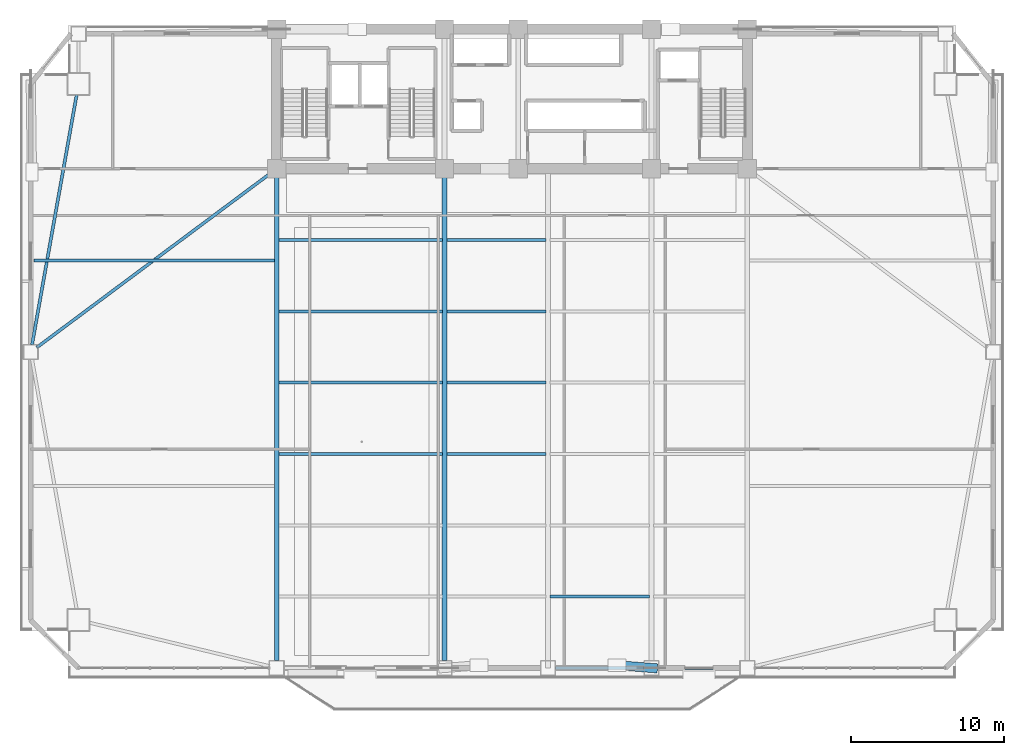
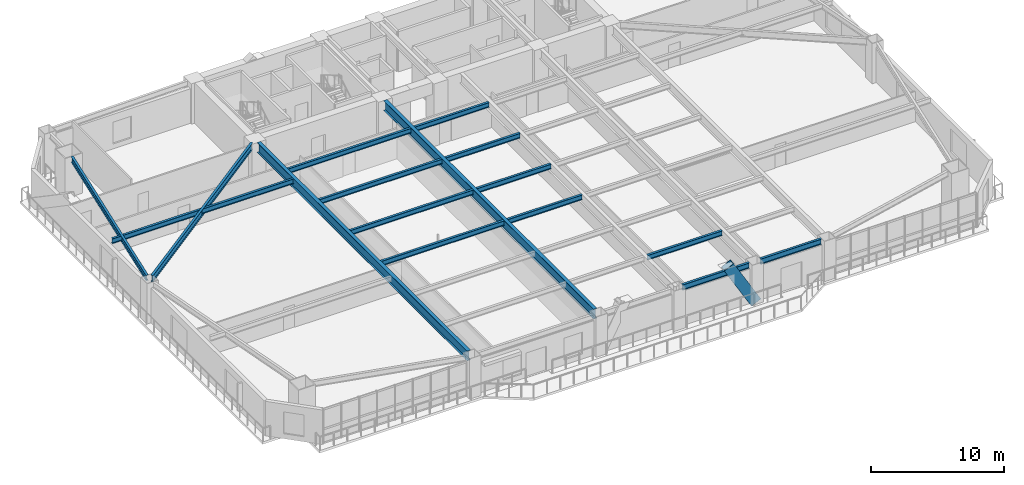
# One storey, part 5 of 18: 16 beams, 1 member.
"""IFC4 building model written with IfcOpenShell, lengths in metres."""

from ifc_helpers import new_model, si_unit, direction, frame, origin, origin_2d, place, context, subcontext, project, spatial, hollow_rectangle, i_section, extrude, source, transform, mapped, material, material_profile, profile_set, type_object, element, save


model = new_model("IFC4")

# Units and contexts
model_context = context("Model", 3, precision=1e-05, world=origin(), true_north=direction((0.0, 1.0)))
body_context = subcontext(model_context, "Body", "Model", "MODEL_VIEW")
ifc_project = project(units=[si_unit("LENGTHUNIT", "METRE"), si_unit("AREAUNIT", "SQUARE_METRE"), si_unit("VOLUMEUNIT", "CUBIC_METRE"), si_unit("PLANEANGLEUNIT", "RADIAN"), si_unit("MASSUNIT", "GRAM", prefix="KILO")], contexts=[model_context])

# Site, building, storey
site_placement = place(None, origin())
site = spatial("IfcSite", under=ifc_project, at=site_placement, CompositionType="ELEMENT")
building_placement = place(site_placement, origin())
building = spatial("IfcBuilding", under=site, at=building_placement, Name="Giltprow Tower", CompositionType="ELEMENT")
storey_placement = place(building_placement, frame((0.0, 0.0, 61.10009765625)))
storey = spatial("IfcBuildingStorey", under=building, at=storey_placement, Name="L15", CompositionType="ELEMENT", Elevation=61.10009765625)

# Beams
ifc_material_1 = material(Name="Structural steel Q355B", Category="steel")
ifc_material_profile_1 = material_profile(ifc_material_1, i_section(OverallWidth=0.199951171875, OverallDepth=0.449951171875, WebThickness=0.009033203125, FlangeThickness=0.013916015625, at=origin_2d()), Name="HN 450x200x9x14")
ifc_profile_set_1 = profile_set([ifc_material_profile_1], Name="Structural steel Q355B")
beam_type_1 = type_object("IfcBeamType", Name="BM-JOIST-HN450", PredefinedType="JOIST", material=ifc_profile_set_1)
shared_shape_1 = source(origin(), body_context, "Body", "SweptSolid", [
    extrude(i_section(OverallWidth=0.199951171875, OverallDepth=0.449951171875, WebThickness=0.009033203125, FlangeThickness=0.013916015625, at=origin_2d()), origin(), (0.0, 0.0, 1.0), 10.659912109375),
])
for number, where, z_axis, x_axis, name in (
    (1, (19.9951171875, 18.840087890625, 3.454833984375), (1.0, 0.0, 0.0), (0.0, 1.0, 0.0), "L15 Composite Floor Joist 3-1"),
    (2, (19.9951171875, 23.491943359375, 3.454833984375), (1.0, 0.0, 0.0), (0.0, 1.0, 0.0), "L15 Composite Floor Joist 4-1"),
    (3, (19.9951171875, 28.14501953125, 3.454833984375), (1.0, 0.0, 0.0), (0.0, 1.0, 0.0), "L15 Composite Floor Joist 5-1"),
    (4, (19.9951171875, 32.797119140625, 3.454833984375), (1.0, 0.0, 0.0), (0.0, 1.0, 0.0), "L15 Composite Floor Joist 6-1"),
):
    element("IfcBeam", number, at=place(storey_placement, frame(where, z_axis=z_axis, x_axis=x_axis)), inside=storey, type_object=beam_type_1, Name=name, PredefinedType="JOIST", context=body_context, shape_type="MappedRepresentation", body=[
        mapped(shared_shape_1, transform((0.0, 0.0, 0.0), x_axis=(1.0, 0.0, 0.0), y_axis=(0.0, 1.0, 0.0), z_axis=(0.0, 0.0, 1.0), scale=1.0)),
    ])
shared_shape_2 = source(origin(), body_context, "Body", "SweptSolid", [
    extrude(i_section(OverallWidth=0.199951171875, OverallDepth=0.449951171875, WebThickness=0.009033203125, FlangeThickness=0.013916015625, at=origin_2d()), origin(), (0.0, 0.0, 1.0), 6.4599609375),
])
for number, where, z_axis, x_axis, name in (
    (5, (37.695068359375, 9.534912109375, 3.454833984375), (1.0, 0.0, 0.0), (0.0, 1.0, 0.0), "L15 Composite Floor Joist 1-3"),
    (6, (30.945068359375, 18.840087890625, 3.454833984375), (1.0, 0.0, 0.0), (0.0, 1.0, 0.0), "L15 Composite Floor Joist 3-2"),
    (7, (30.945068359375, 23.491943359375, 3.454833984375), (1.0, 0.0, 0.0), (0.0, 1.0, 0.0), "L15 Composite Floor Joist 4-2"),
    (8, (30.945068359375, 28.14501953125, 3.454833984375), (1.0, 0.0, 0.0), (0.0, 1.0, 0.0), "L15 Composite Floor Joist 5-2"),
    (9, (30.945068359375, 32.797119140625, 3.454833984375), (1.0, 0.0, 0.0), (0.0, 1.0, 0.0), "L15 Composite Floor Joist 6-2"),
):
    element("IfcBeam", number, at=place(storey_placement, frame(where, z_axis=z_axis, x_axis=x_axis)), inside=storey, type_object=beam_type_1, Name=name, PredefinedType="JOIST", context=body_context, shape_type="MappedRepresentation", body=[
        mapped(shared_shape_2, transform((0.0, 0.0, 0.0), x_axis=(1.0, 0.0, 0.0), y_axis=(0.0, 1.0, 0.0), z_axis=(0.0, 0.0, 1.0), scale=1.0)),
    ])
shared_shape_3 = source(origin(), body_context, "Body", "SweptSolid", [
    extrude(i_section(OverallWidth=0.199951171875, OverallDepth=0.449951171875, WebThickness=0.009033203125, FlangeThickness=0.013916015625, at=origin_2d()), origin(), (0.0, 0.0, 1.0), 15.68017578125),
])
beam_1_placement = place(storey_placement, frame((4.02490234375, 31.470947265625, 3.454833984375), z_axis=(1.0, 0.0, 0.0), x_axis=(0.0, 1.0, 0.0)))
element("IfcBeam", 10, at=beam_1_placement, inside=storey, type_object=beam_type_1, Name="L15 West Wing Floor Joist 2", PredefinedType="JOIST", context=body_context, shape_type="MappedRepresentation", body=[
    mapped(shared_shape_3, transform((0.0, 0.0, 0.0), x_axis=(1.0, 0.0, 0.0), y_axis=(0.0, 1.0, 0.0), z_axis=(0.0, 0.0, 1.0), scale=1.0)),
])
ifc_material_profile_2 = material_profile(ifc_material_1, i_section(OverallWidth=0.199951171875, OverallDepth=0.5, WebThickness=0.010009765625, FlangeThickness=0.01611328125, at=origin_2d()), Name="HN 500x200x10x16")
ifc_profile_set_2 = profile_set([ifc_material_profile_2], Name="Structural steel Q355B")
beam_type_2 = type_object("IfcBeamType", Name="BM-SPAN-HN500", PredefinedType="SPANDREL", material=ifc_profile_set_2)
shared_shape_4 = source(origin(), body_context, "Body", "SweptSolid", [
    extrude(i_section(OverallWidth=0.199951171875, OverallDepth=0.5, WebThickness=0.010009765625, FlangeThickness=0.01611328125, at=origin_2d()), origin(), (0.0, 0.0, 1.0), 5.780029296875),
])
beam_2_placement = place(storey_placement, frame((38.034912109375, 4.882080078125, 3.429931640625), z_axis=(1.0, 0.0, 0.0), x_axis=(0.0, 1.0, 0.0)))
element("IfcBeam", 11, at=beam_2_placement, inside=storey, type_object=beam_type_2, Name="L15 Perimeter Spandrel Beam S_MID-S3", PredefinedType="SPANDREL", context=body_context, shape_type="MappedRepresentation", body=[
    mapped(shared_shape_4, transform((0.0, 0.0, 0.0), x_axis=(1.0, 0.0, 0.0), y_axis=(0.0, 1.0, 0.0), z_axis=(0.0, 0.0, 1.0), scale=1.0)),
])
shared_shape_5 = source(origin(), body_context, "Body", "SweptSolid", [
    extrude(i_section(OverallWidth=0.199951171875, OverallDepth=0.5, WebThickness=0.010009765625, FlangeThickness=0.01611328125, at=origin_2d()), origin(), (0.0, 0.0, 1.0), 5.280029296875),
])
beam_3_placement = place(storey_placement, frame((44.784912109375, 4.882080078125, 3.429931640625), z_axis=(1.0, 0.0, 0.0), x_axis=(0.0, 1.0, 0.0)))
element("IfcBeam", 12, at=beam_3_placement, inside=storey, type_object=beam_type_2, Name="L15 Perimeter Spandrel Beam S3-S4", PredefinedType="SPANDREL", context=body_context, shape_type="MappedRepresentation", body=[
    mapped(shared_shape_5, transform((0.0, 0.0, 0.0), x_axis=(1.0, 0.0, 0.0), y_axis=(0.0, 1.0, 0.0), z_axis=(0.0, 0.0, 1.0), scale=1.0)),
])
shared_shape_6 = source(origin(), body_context, "Body", "SweptSolid", [
    extrude(i_section(OverallWidth=0.199951171875, OverallDepth=0.5, WebThickness=0.010009765625, FlangeThickness=0.01611328125, at=origin_2d()), origin(), (0.0, 0.0, 1.0), 16.54345703125),
])
beam_4_placement = place(storey_placement, frame((6.798095703125, 42.25390625, 3.429931640625), z_axis=(-0.175791149249, -0.9844274843, 0.0), x_axis=(0.9844274843, -0.175791149249, 0.0)))
element("IfcBeam", 13, at=beam_4_placement, inside=storey, type_object=beam_type_2, Name="L15 Perimeter Spandrel Beam MC_NW-W_MID", PredefinedType="SPANDREL", context=body_context, shape_type="MappedRepresentation", body=[
    mapped(shared_shape_6, transform((0.0, 0.0, 0.0), x_axis=(1.0, 0.0, 0.0), y_axis=(0.0, 1.0, 0.0), z_axis=(0.0, 0.0, 1.0), scale=1.0)),
])
ifc_material_profile_3 = material_profile(ifc_material_1, i_section(OverallWidth=0.300048828125, OverallDepth=0.89990234375, WebThickness=0.01611328125, FlangeThickness=0.028076171875, at=origin_2d()), Name="HN 900x300x16x28")
ifc_profile_set_3 = profile_set([ifc_material_profile_3], Name="Structural steel Q355B")
beam_type_3 = type_object("IfcBeamType", Name="BM-GIRD-HN900", PredefinedType="BEAM", material=ifc_profile_set_3)
shared_shape_7 = source(origin(), body_context, "Body", "SweptSolid", [
    extrude(i_section(OverallWidth=0.300048828125, OverallDepth=0.89990234375, WebThickness=0.01611328125, FlangeThickness=0.028076171875, at=origin_2d()), origin(), (0.0, 0.0, 1.0), 31.498046875),
])
for number, where, z_axis, x_axis, name in (
    (14, (19.85009765625, 5.366943359375, 3.22998046875), (0.0, 1.0, 0.0), (-1.0, 0.0, 0.0), "L15 Primary Lease Girder S1"),
    (15, (30.800048828125, 5.366943359375, 3.22998046875), (0.0, 1.0, 0.0), (-1.0, 0.0, 0.0), "L15 Primary Lease Girder S2"),
):
    element("IfcBeam", number, at=place(storey_placement, frame(where, z_axis=z_axis, x_axis=x_axis)), inside=storey, type_object=beam_type_3, Name=name, PredefinedType="BEAM", context=body_context, shape_type="MappedRepresentation", body=[
        mapped(shared_shape_7, transform((0.0, 0.0, 0.0), x_axis=(1.0, 0.0, 0.0), y_axis=(0.0, 1.0, 0.0), z_axis=(0.0, 0.0, 1.0), scale=1.0)),
    ])
ifc_material_profile_4 = material_profile(ifc_material_1, i_section(OverallWidth=0.199951171875, OverallDepth=0.60009765625, WebThickness=0.010986328125, FlangeThickness=0.01708984375, at=origin_2d()), Name="HN 600x200x11x17")
ifc_profile_set_4 = profile_set([ifc_material_profile_4], Name="Structural steel Q355B")
beam_type_4 = type_object("IfcBeamType", Name="BM-GIRD-HN600", PredefinedType="BEAM", material=ifc_profile_set_4)
shared_shape_8 = source(origin(), body_context, "Body", "SweptSolid", [
    extrude(i_section(OverallWidth=0.199951171875, OverallDepth=0.60009765625, WebThickness=0.010986328125, FlangeThickness=0.01708984375, at=origin_2d()), origin(), (0.0, 0.0, 1.0), 18.941162109375),
])
beam_5_placement = place(storey_placement, frame((4.194091796875, 25.781005859375, 3.3798828125), z_axis=(0.801799875051, 0.597592637478, 0.0), x_axis=(-0.597592637478, 0.801799875051, 0.0)))
element("IfcBeam", 16, at=beam_5_placement, inside=storey, type_object=beam_type_4, Name="L15 West Wing Primary Girder", PredefinedType="BEAM", context=body_context, shape_type="MappedRepresentation", body=[
    mapped(shared_shape_8, transform((0.0, 0.0, 0.0), x_axis=(1.0, 0.0, 0.0), y_axis=(0.0, 1.0, 0.0), z_axis=(0.0, 0.0, 1.0), scale=1.0)),
])

# Member
ifc_material_2 = material(Name="Structural steel Q420GJC", Category="steel")
ifc_material_profile_5 = material_profile(ifc_material_2, hollow_rectangle(XDim=0.60009765625, YDim=0.89990234375, WallThickness=0.0400390625, at=origin_2d()), Name="RHS 900x600x40")
ifc_profile_set_5 = profile_set([ifc_material_profile_5], Name="Structural steel Q420GJC")
member_type = type_object("IfcMemberType", Name="MBR-MEGA-RHS900", PredefinedType="BRACE", material=ifc_profile_set_5)
shared_shape_9 = source(origin(), body_context, "Body", "SweptSolid", [
    extrude(hollow_rectangle(XDim=0.60009765625, YDim=0.89990234375, WallThickness=0.0400390625, at=origin_2d()), origin(), (0.0, 0.0, 1.0), 4.505859375),
])
member_placement = place(storey_placement, frame((44.300048828125, 4.882080078125, 0.0), z_axis=(-0.499350364216, 0.039065930187, 0.865518958115), x_axis=(-0.077995186993, -0.996953735539, 0.0)))
element("IfcMember", 17, at=member_placement, inside=storey, type_object=member_type, Name="L15 Chevron Mega-Brace S-R", PredefinedType="BRACE", context=body_context, shape_type="MappedRepresentation", body=[
    mapped(shared_shape_9, transform((0.0, 0.0, 0.0), x_axis=(1.0, 0.0, 0.0), y_axis=(0.0, 1.0, 0.0), z_axis=(0.0, 0.0, 1.0), scale=1.0)),
])

save(model, "model.ifc")
